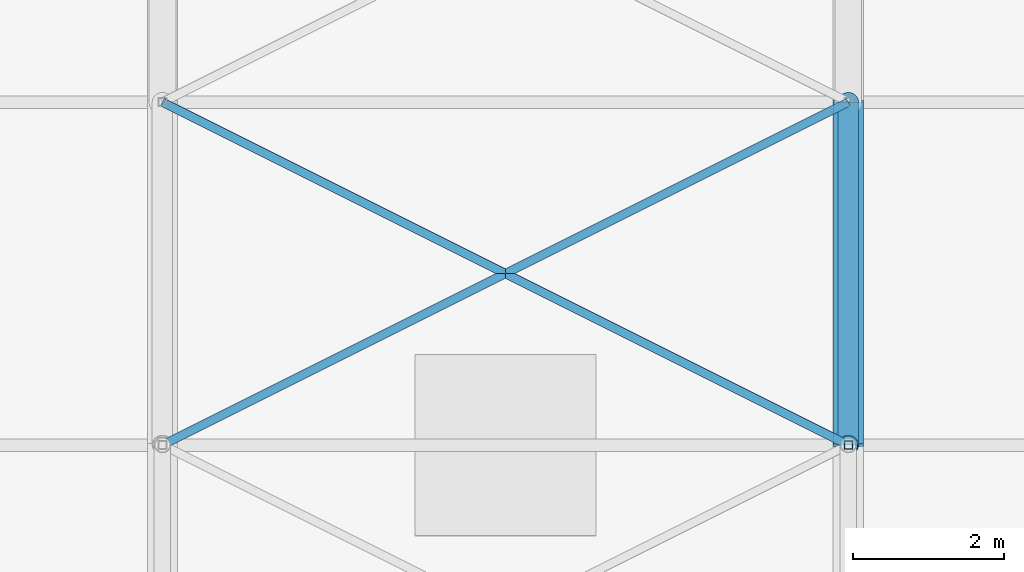
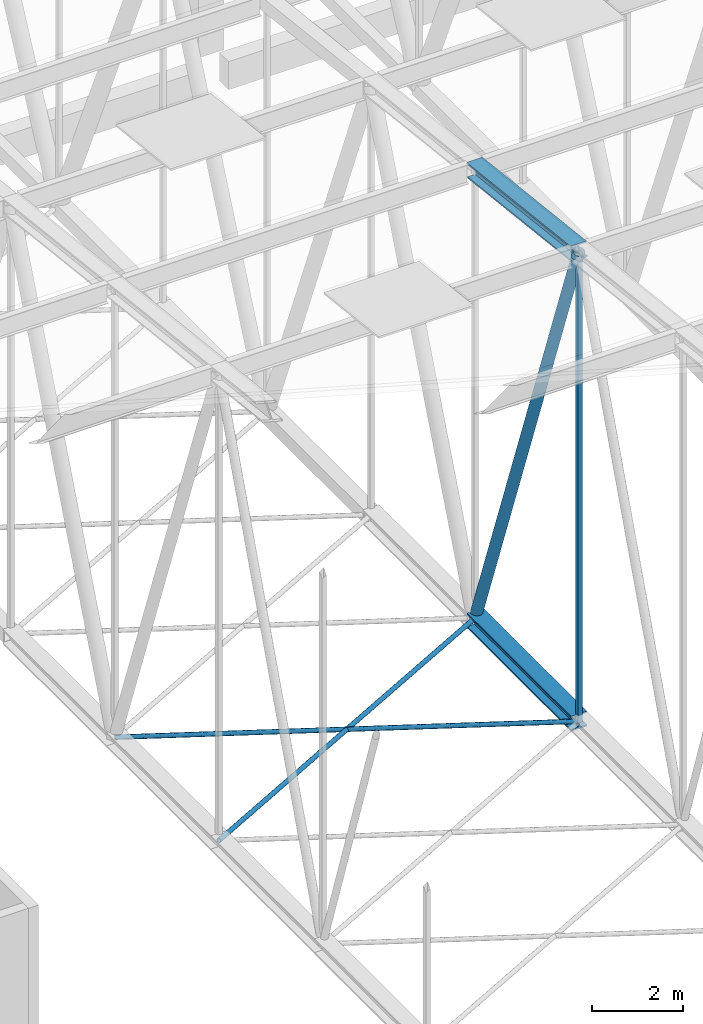
# One storey, part 206 of 500: 6 members.
"""IFC4 building model written with IfcOpenShell, lengths in metres."""

from ifc_helpers import new_model, si_unit, direction, frame, origin, origin_2d, place, context, subcontext, project, spatial, hollow_rectangle, hollow_circle, i_section, extrude, material, material_profile, profile_set, type_object, element, save


model = new_model("IFC4")

# Units and contexts
model_context = context("Model", 3, precision=1e-05, world=origin(), true_north=direction((0.0, 1.0)))
body_context = subcontext(model_context, "Body", "Model", "MODEL_VIEW")
ifc_project = project(units=[si_unit("LENGTHUNIT", "METRE"), si_unit("AREAUNIT", "SQUARE_METRE"), si_unit("VOLUMEUNIT", "CUBIC_METRE"), si_unit("PLANEANGLEUNIT", "RADIAN"), si_unit("MASSUNIT", "GRAM", prefix="KILO")], contexts=[model_context])

# Site, building, storey
site_placement = place(None, origin())
site = spatial("IfcSite", under=ifc_project, at=site_placement, CompositionType="ELEMENT")
building_placement = place(site_placement, origin())
building = spatial("IfcBuilding", under=site, at=building_placement, Name="Shirokan Park Arena", CompositionType="ELEMENT")
storey_placement = place(building_placement, frame((0.0, 0.0, 29.1201171875)))
storey = spatial("IfcBuildingStorey", under=building, at=storey_placement, Name="L06", CompositionType="ELEMENT", Elevation=29.1201171875)

# Members
ifc_material_1 = material(Name="Steel ASTM A992", Category="steel")
ifc_material_profile_1 = material_profile(ifc_material_1, i_section(OverallWidth=0.40087890625, OverallDepth=0.39892578125, WebThickness=0.02490234375, FlangeThickness=0.03955078125, at=origin_2d()), Name="W360X314")
ifc_profile_set_1 = profile_set([ifc_material_profile_1], Name="Steel ASTM A992")
member_type_1 = type_object("IfcMemberType", Name="Bottom chord W360X314", PredefinedType="CHORD", material=ifc_profile_set_1)
member_1_placement = place(storey_placement, frame((54.60009765625, 68.25, 4.677001953125), z_axis=(0.0, 1.0, 0.0), x_axis=(-1.0, 0.0, 0.0)))
element("IfcMember", 1, at=member_1_placement, inside=storey, type_object=member_type_1, Name="Truss T07 bottom chord 18", PredefinedType="CHORD", context=body_context, shape_type="SweptSolid", body=[
    extrude(i_section(OverallWidth=0.40087890625, OverallDepth=0.39892578125, WebThickness=0.02490234375, FlangeThickness=0.03955078125, at=origin_2d()), origin(), (0.0, 0.0, 1.0), 4.550048828125),
])
ifc_material_2 = material(Name="Steel ASTM A500 Grade C", Category="steel")
ifc_material_profile_2 = material_profile(ifc_material_2, hollow_circle(Radius=0.056884765625, WallThickness=0.006103515625, at=origin_2d()), Name="HSS114.3X6")
ifc_profile_set_2 = profile_set([ifc_material_profile_2], Name="Steel ASTM A500 Grade C")
member_type_2 = type_object("IfcMemberType", Name="Plan bracing HSS114.3X6", PredefinedType="BRACE", material=ifc_profile_set_2)
for number, where, z_axis, x_axis, name in (
    (2, (45.5, 68.25, 4.677001953125), (0.894427191, 0.4472135955, 0.0), (-0.4472135955, 0.894427191, 0.0), "Plan bracing bay 6 panel 18 A"),
    (3, (54.60009765625, 68.25, 4.677001953125), (-0.894427191, 0.4472135955, 0.0), (-0.4472135955, -0.894427191, 0.0), "Plan bracing bay 6 panel 18 B"),
):
    element("IfcMember", number, at=place(storey_placement, frame(where, z_axis=z_axis, x_axis=x_axis)), inside=storey, type_object=member_type_2, Name=name, PredefinedType="BRACE", context=body_context, shape_type="SweptSolid", body=[
        extrude(hollow_circle(Radius=0.056884765625, WallThickness=0.006103515625, at=origin_2d()), origin(), (0.0, 0.0, 1.0), 10.17431640625),
    ])
ifc_material_profile_3 = material_profile(ifc_material_1, i_section(OverallWidth=0.40087890625, OverallDepth=0.39892578125, WebThickness=0.02490234375, FlangeThickness=0.03955078125, at=origin_2d()), Name="W360X314")
ifc_profile_set_3 = profile_set([ifc_material_profile_3], Name="Steel ASTM A992")
member_type_3 = type_object("IfcMemberType", Name="Top chord W360X314", PredefinedType="CHORD", material=ifc_profile_set_3)
member_2_placement = place(storey_placement, frame((54.60009765625, 68.25, 17.221435546875), z_axis=(0.0, 0.993532328996, -0.113549598152), x_axis=(-1.0, 0.0, 0.0)))
element("IfcMember", 4, at=member_2_placement, inside=storey, type_object=member_type_3, Name="Truss T07 top chord 18", PredefinedType="CHORD", context=body_context, shape_type="SweptSolid", body=[
    extrude(i_section(OverallWidth=0.40087890625, OverallDepth=0.39892578125, WebThickness=0.02490234375, FlangeThickness=0.03955078125, at=origin_2d()), origin(), (0.0, 0.0, 1.0), 4.57958984375),
])
ifc_material_profile_4 = material_profile(ifc_material_2, hollow_circle(Radius=0.136474609375, WallThickness=0.009521484375, at=origin_2d()), Name="HSS273.1X9.5")
ifc_profile_set_4 = profile_set([ifc_material_profile_4], Name="Steel ASTM A500 Grade C")
member_type_4 = type_object("IfcMemberType", Name="Truss diagonal HSS273.1X9.5", PredefinedType="BRACE", material=ifc_profile_set_4)
member_3_placement = place(storey_placement, frame((54.60009765625, 68.25, 17.221435546875), z_axis=(0.0, 0.340977600467, -0.94007142068), x_axis=(-1.0, 0.0, 0.0)))
element("IfcMember", 5, at=member_3_placement, inside=storey, type_object=member_type_4, Name="Truss T07 diagonal 18", PredefinedType="BRACE", context=body_context, shape_type="SweptSolid", body=[
    extrude(hollow_circle(Radius=0.136474609375, WallThickness=0.009521484375, at=origin_2d()), origin(), (0.0, 0.0, 1.0), 13.34423828125),
])
ifc_material_profile_5 = material_profile(ifc_material_2, hollow_rectangle(XDim=0.114013671875, YDim=0.114013671875, WallThickness=0.00634765625, at=origin_2d()), Name="HSS114.3X114.3X6.4")
ifc_profile_set_5 = profile_set([ifc_material_profile_5], Name="Steel ASTM A500 Grade C")
member_type_5 = type_object("IfcMemberType", Name="Truss post HSS114.3X114.3X6.4", PredefinedType="POST", material=ifc_profile_set_5)
member_4_placement = place(storey_placement, frame((54.60009765625, 68.25, 4.677001953125), z_axis=(0.0, 0.0, 1.0), x_axis=(1.0, 0.0, 0.0)))
element("IfcMember", 6, at=member_4_placement, inside=storey, type_object=member_type_5, Name="Truss T07 post 18", PredefinedType="POST", context=body_context, shape_type="SweptSolid", body=[
    extrude(hollow_rectangle(XDim=0.114013671875, YDim=0.114013671875, WallThickness=0.00634765625, at=origin_2d()), origin(), (0.0, 0.0, 1.0), 12.54443359375),
])

save(model, "model.ifc")
